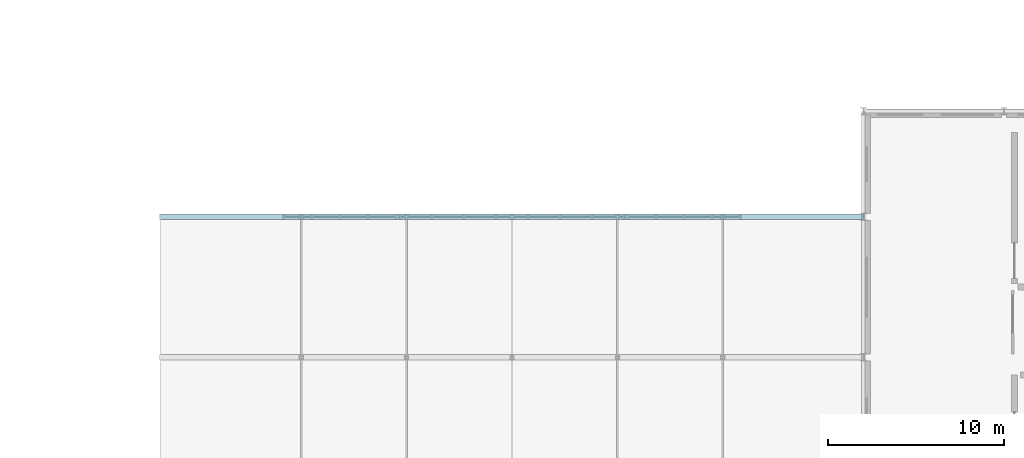
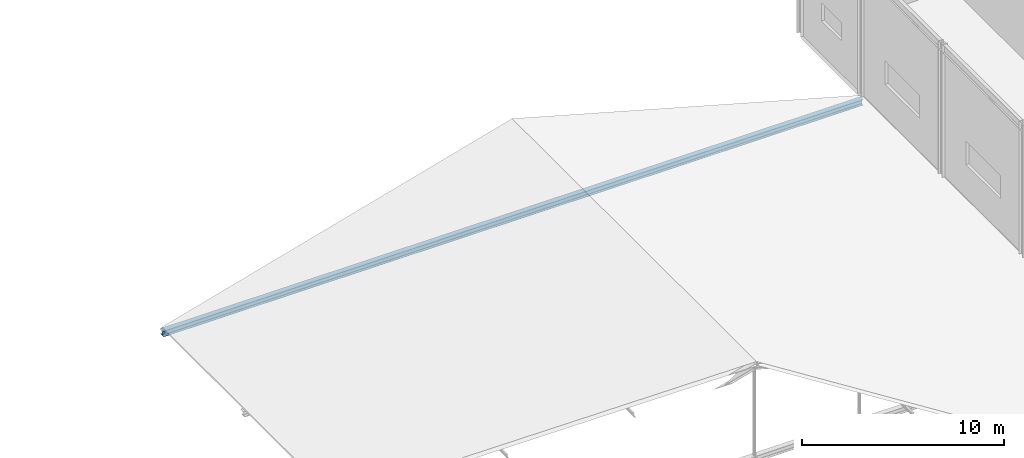
# One storey, part 32 of 49: 1 member.
"""IFC4 building model written with IfcOpenShell, lengths in metres."""

from ifc_helpers import new_model, si_unit, direction, frame, origin, origin_2d, place, context, subcontext, project, spatial, i_section, extrude, material, material_profile, profile_set, type_object, element, save


model = new_model("IFC4")

# Units and contexts
model_context = context("Model", 3, precision=1e-05, world=origin(), true_north=direction((0.0, 1.0)))
body_context = subcontext(model_context, "Body", "Model", "MODEL_VIEW")
ifc_project = project(units=[si_unit("LENGTHUNIT", "METRE"), si_unit("AREAUNIT", "SQUARE_METRE"), si_unit("VOLUMEUNIT", "CUBIC_METRE"), si_unit("PLANEANGLEUNIT", "RADIAN"), si_unit("MASSUNIT", "GRAM", prefix="KILO")], contexts=[model_context])

# Site, building, storey
site_placement = place(None, origin())
site = spatial("IfcSite", under=ifc_project, at=site_placement, CompositionType="ELEMENT")
building_placement = place(site_placement, origin())
building = spatial("IfcBuilding", under=site, at=building_placement, Name="Sundkrona Museum", CompositionType="ELEMENT")
storey_placement = place(building_placement, frame((0.0, 0.0, 26.0)))
storey = spatial("IfcBuildingStorey", under=building, at=storey_placement, Name="L05", CompositionType="ELEMENT", Elevation=26.0)

# Member
ifc_material = material(Name="Steel S355J2", Category="steel")
ifc_material_profile = material_profile(ifc_material, i_section(OverallWidth=0.300048828125, OverallDepth=0.35009765625, WebThickness=0.010009765625, FlangeThickness=0.017578125, FilletRadius=0.027099609375, at=origin_2d()), Name="HEA 360")
ifc_profile_set = profile_set([ifc_material_profile], Name="Steel S355J2")
member_type = type_object("IfcMemberType", Name="TC-HEA360", PredefinedType="CHORD", material=ifc_profile_set)
member_placement = place(storey_placement, frame((80.0, 40.0, -0.39990234375), z_axis=(1.0, 0.0, 0.0), x_axis=(0.0, 1.0, 0.0)))
element("IfcMember", 1, at=member_placement, inside=storey, type_object=member_type, Name="RFS-1 Atrium Truss 6 Continuous Tie Chord", PredefinedType="CHORD", context=body_context, shape_type="SweptSolid", body=[
    extrude(i_section(OverallWidth=0.300048828125, OverallDepth=0.35009765625, WebThickness=0.010009765625, FlangeThickness=0.017578125, FilletRadius=0.027099609375, at=origin_2d()), origin(), (0.0, 0.0, 1.0), 40.0),
])

save(model, "model.ifc")
